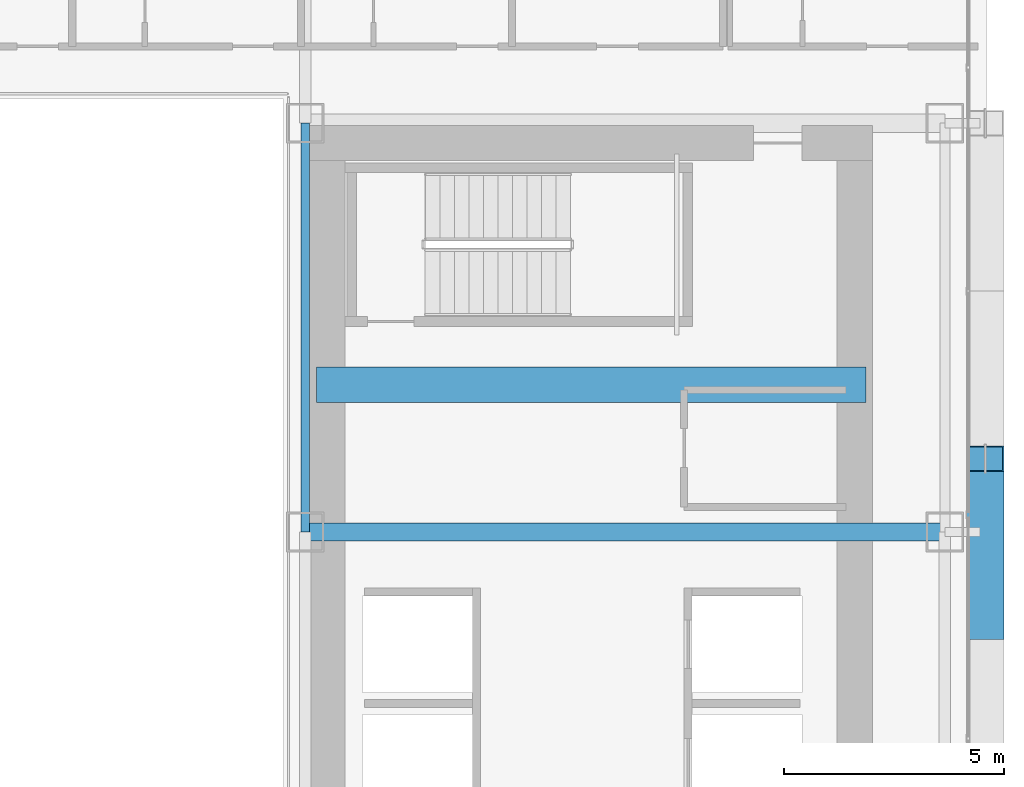
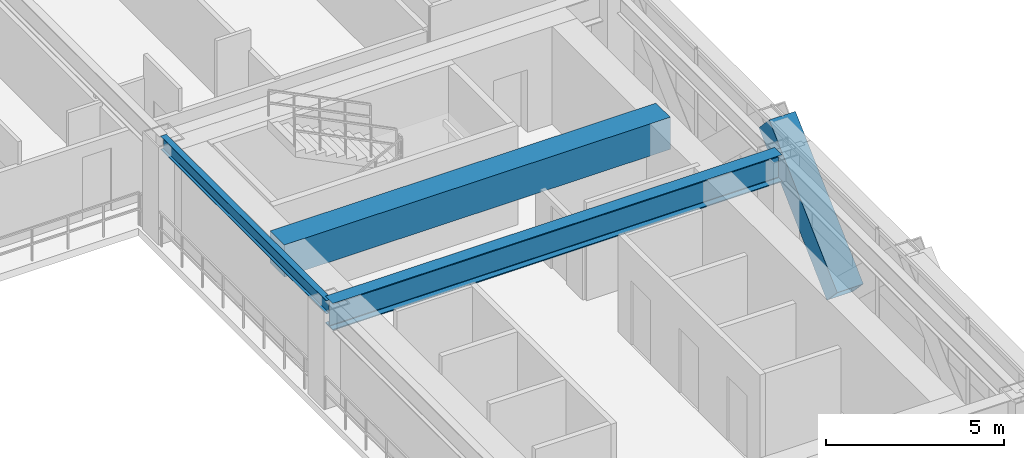
# One storey, part 14 of 38: 3 beams, 1 member.
"""IFC4 building model written with IfcOpenShell, lengths in metres."""

from ifc_helpers import new_model, si_unit, direction, frame, origin, origin_2d, place, context, subcontext, project, spatial, rectangle, hollow_rectangle, i_section, extrude, source, transform, mapped, material, material_profile, profile_set, type_object, element, save


model = new_model("IFC4")

# Units and contexts
model_context = context("Model", 3, precision=1e-05, world=origin(), true_north=direction((0.0, 1.0)))
body_context = subcontext(model_context, "Body", "Model", "MODEL_VIEW")
ifc_project = project(units=[si_unit("LENGTHUNIT", "METRE"), si_unit("AREAUNIT", "SQUARE_METRE"), si_unit("VOLUMEUNIT", "CUBIC_METRE"), si_unit("PLANEANGLEUNIT", "RADIAN"), si_unit("MASSUNIT", "GRAM", prefix="KILO")], contexts=[model_context])

# Site, building, storey
site_placement = place(None, origin())
site = spatial("IfcSite", under=ifc_project, at=site_placement, CompositionType="ELEMENT")
building_placement = place(site_placement, origin())
building = spatial("IfcBuilding", under=site, at=building_placement, Name="Ocotamira Hotel", CompositionType="ELEMENT")
storey_placement = place(building_placement, frame((0.0, 0.0, 74.39990234375)))
storey = spatial("IfcBuildingStorey", under=building, at=storey_placement, Name="L18", CompositionType="ELEMENT", Elevation=74.39990234375)

# Beams
ifc_material_1 = material(Name="Concrete C60/75", Category="concrete")
ifc_material_profile_1 = material_profile(ifc_material_1, rectangle(XDim=0.800048828125, YDim=1.10009765625, at=origin_2d()), Name="RC800X1100")
ifc_profile_set_1 = profile_set([ifc_material_profile_1], Name="Concrete C60/75")
beam_type_1 = type_object("IfcBeamType", Name="BM-LINK-RC800", PredefinedType="LINTEL", material=ifc_profile_set_1)
shared_shape_1 = source(origin(), body_context, "Body", "SweptSolid", [
    extrude(rectangle(XDim=0.800048828125, YDim=1.10009765625, at=origin_2d()), origin(), (0.0, 0.0, 1.0), 12.5),
])
beam_1_placement = place(storey_placement, frame((40.75, 31.5, 2.800048828125), z_axis=(1.0, 0.0, 0.0), x_axis=(0.0, 1.0, 0.0)))
element("IfcBeam", 1, at=beam_1_placement, inside=storey, type_object=beam_type_1, Name="L18 East Core Coupling Beam", PredefinedType="LINTEL", context=body_context, shape_type="MappedRepresentation", body=[
    mapped(shared_shape_1, transform((0.0, 0.0, 0.0), scale=1.0)),
])
ifc_material_2 = material(Name="Steel ASTM A992 Grade 50", Category="steel")
ifc_material_profile_2 = material_profile(ifc_material_2, i_section(OverallWidth=0.41796875, OverallDepth=0.927001953125, WebThickness=0.019287109375, FlangeThickness=0.031982421875, FilletRadius=0.02392578125, at=origin_2d()), Name="W36X231")
ifc_profile_set_2 = profile_set([ifc_material_profile_2], Name="Steel ASTM A992 Grade 50")
beam_type_2 = type_object("IfcBeamType", Name="BM-GIRD-W36X231", PredefinedType="BEAM", material=ifc_profile_set_2)
shared_shape_2 = source(origin(), body_context, "Body", "SweptSolid", [
    extrude(i_section(OverallWidth=0.41796875, OverallDepth=0.927001953125, WebThickness=0.019287109375, FlangeThickness=0.031982421875, FilletRadius=0.02392578125, at=origin_2d()), origin(), (0.0, 0.0, 1.0), 14.550048828125),
])
beam_2_placement = place(storey_placement, frame((40.5, 28.14990234375, 2.88671875), z_axis=(1.0, 0.0, 0.0), x_axis=(0.0, 1.0, 0.0)))
element("IfcBeam", 2, at=beam_2_placement, inside=storey, type_object=beam_type_2, Name="L18 Girder Y28.15 X40.5-55.05", PredefinedType="BEAM", context=body_context, shape_type="MappedRepresentation", body=[
    mapped(shared_shape_2, transform((0.0, 0.0, 0.0), scale=1.0)),
])
ifc_material_profile_3 = material_profile(ifc_material_2, i_section(OverallWidth=0.18994140625, OverallDepth=0.45703125, WebThickness=0.009033203125, FlangeThickness=0.014404296875, FilletRadius=0.010009765625, at=origin_2d()), Name="W18X50")
ifc_profile_set_3 = profile_set([ifc_material_profile_3], Name="Steel ASTM A992 Grade 50")
beam_type_3 = type_object("IfcBeamType", Name="BM-SEC-W18X50", PredefinedType="JOIST", material=ifc_profile_set_3)
shared_shape_3 = source(origin(), body_context, "Body", "SweptSolid", [
    extrude(i_section(OverallWidth=0.18994140625, OverallDepth=0.45703125, WebThickness=0.009033203125, FlangeThickness=0.014404296875, FilletRadius=0.010009765625, at=origin_2d()), origin(), (0.0, 0.0, 1.0), 9.300048828125),
])
beam_3_placement = place(storey_placement, frame((40.5, 28.14990234375, 3.12158203125), z_axis=(0.0, 1.0, 0.0), x_axis=(-1.0, 0.0, 0.0)))
element("IfcBeam", 3, at=beam_3_placement, inside=storey, type_object=beam_type_3, Name="L18 Beam X40.5 Y28.15-37.45", PredefinedType="JOIST", context=body_context, shape_type="MappedRepresentation", body=[
    mapped(shared_shape_3, transform((0.0, 0.0, 0.0), scale=1.0)),
])

# Member
ifc_material_3 = material(Name="Pale-metal coated steel ASTM A913 Grade 65", Category="steel")
ifc_material_profile_4 = material_profile(ifc_material_3, hollow_rectangle(XDim=0.85009765625, YDim=0.85009765625, WallThickness=0.035888671875, at=origin_2d()), Name="BOX850X850X36")
ifc_profile_set_4 = profile_set([ifc_material_profile_4], Name="Pale-metal coated steel ASTM A913 Grade 65")
member_type = type_object("IfcMemberType", Name="MEM-EXO-BOX850", PredefinedType="BRACE", material=ifc_profile_set_4)
shared_shape_4 = source(origin(), body_context, "Body", "SweptSolid", [
    extrude(hollow_rectangle(XDim=0.85009765625, YDim=0.85009765625, WallThickness=0.035888671875, at=origin_2d()), origin(), (0.0, 0.0, 1.0), 5.24658203125),
])
member_placement = place(storey_placement, frame((55.969970703125, 26.0, -0.5), z_axis=(0.0, 0.727442733726, 0.686168397078), x_axis=(-1.0, 0.0, 0.0)))
element("IfcMember", 4, at=member_placement, inside=storey, type_object=member_type, Name="L18 Exoskeleton Diagrid E1.2", PredefinedType="BRACE", context=body_context, shape_type="MappedRepresentation", body=[
    mapped(shared_shape_4, transform((0.0, 0.0, 0.0), scale=1.0)),
])

save(model, "model.ifc")
